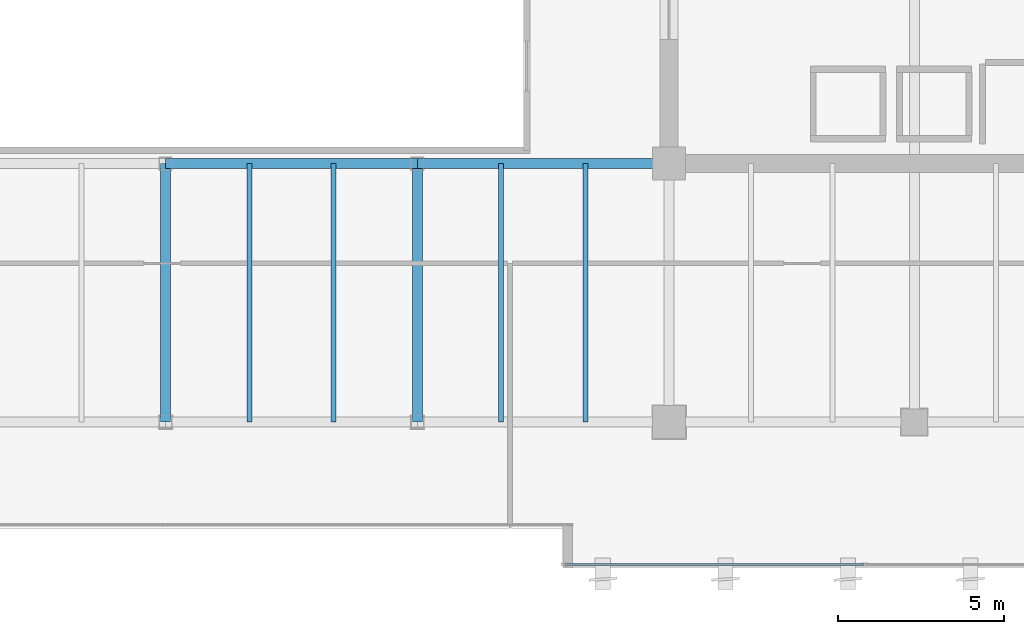
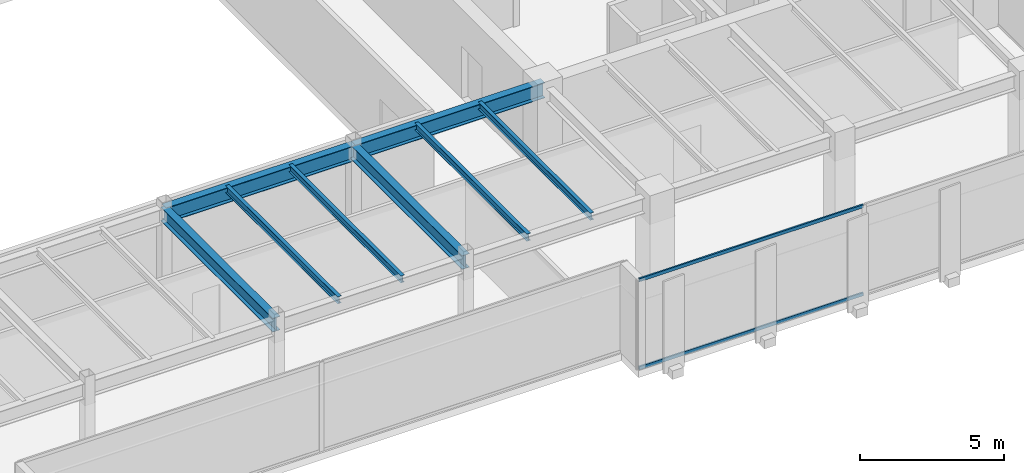
# One storey, part 12 of 35: 8 beams, 2 members, 1 element without a shape of its own.
"""IFC4 building model written with IfcOpenShell, lengths in metres."""

import ifcopenshell
import ifcopenshell.guid

model = None  # the IFC model being written
_history = None  # IfcOwnerHistory: only IFC2X3 demands one
_inside = {}  # id of a spatial element -> (the spatial element, [elements in it])
_under = {}  # id of a project, library or spatial element -> (it, [spatial elements below it])
_declared = {}  # id of a project -> (the project, [libraries it declares])
_typed = {}  # id of a type object -> (the type object, [elements of that type])
_made_of = {}  # id of a material, layer set ... -> (it, [elements and type objects made of it])


def new_model(schema):
    """Start an empty IFC model of exactly this schema.

    Asked for "IFC4X3", IfcOpenShell would pick the latest addendum, in which some entities
    have other attributes; the version numbers below select the first issue.
    IFC2X3 requires an IfcOwnerHistory on every rooted entity: one is made here for all.
    """
    global model, _history
    if schema == "IFC4X3":
        model = ifcopenshell.file(schema_version=(4, 3, 0, 0))
    else:
        model = ifcopenshell.file(schema=schema)
    _inside.clear()
    _under.clear()
    _declared.clear()
    _typed.clear()
    _made_of.clear()
    _history = None
    if model.schema == "IFC2X3":
        org = make("IfcOrganization", Name="unknown")
        user = make(
            "IfcPersonAndOrganization",
            ThePerson=make("IfcPerson", FamilyName="unknown"),
            TheOrganization=org,
        )
        app = make(
            "IfcApplication",
            ApplicationDeveloper=org,
            Version="unknown",
            ApplicationFullName="unknown",
            ApplicationIdentifier="unknown",
        )
        _history = make(
            "IfcOwnerHistory",
            OwningUser=user,
            OwningApplication=app,
            ChangeAction="ADDED",
            CreationDate=0,
        )
    return model


def make(cls, **values):
    """One entity of the class cls with the attributes given. An attribute that is None is left unset."""
    return model.create_entity(
        cls, **{name: value for name, value in values.items() if value is not None}
    )


def rooted(cls, **values):
    """An entity with a GlobalId (a new one), such as an element, a storey or a relation."""
    return make(cls, GlobalId=ifcopenshell.guid.new(), OwnerHistory=_history, **values)


def si_unit(unit_type, name, prefix=None):
    """IfcSIUnit, for example si_unit("LENGTHUNIT", "METRE", prefix="MILLI")."""
    return make("IfcSIUnit", UnitType=unit_type, Prefix=prefix, Name=name)


def assignment(units):
    """IfcUnitAssignment: the units of a project."""
    return None if units is None else make("IfcUnitAssignment", Units=units)


def point(xyz):
    """IfcCartesianPoint."""
    return None if xyz is None else make("IfcCartesianPoint", Coordinates=xyz)


def direction(xyz):
    """IfcDirection."""
    return None if xyz is None else make("IfcDirection", DirectionRatios=xyz)


def frame(location, z_axis=None, x_axis=None):
    """IfcAxis2Placement3D, a coordinate frame: its origin and axes. An axis left out is left unset."""
    return make(
        "IfcAxis2Placement3D",
        Location=point(location),
        Axis=direction(z_axis),
        RefDirection=direction(x_axis),
    )


def frame_2d(location, x_axis=None):
    """IfcAxis2Placement2D, a coordinate frame in the plane: its origin and x axis."""
    return make(
        "IfcAxis2Placement2D", Location=point(location), RefDirection=direction(x_axis)
    )


def origin():
    """The frame at (0, 0, 0) with its axes left unset."""
    return frame((0.0, 0.0, 0.0))


def origin_2d():
    """The frame at (0, 0) in the plane with its x axis left unset."""
    return frame_2d((0.0, 0.0))


def place(relative_to, where):
    """IfcLocalPlacement: puts the frame where relative to a parent placement (None: the world)."""
    return make(
        "IfcLocalPlacement", PlacementRelTo=relative_to, RelativePlacement=where
    )


def context(
    kind, dimensions, precision=None, world=None, true_north=None, identifier=None
):
    """IfcGeometricRepresentationContext, for example the 3D "Model" context."""
    return make(
        "IfcGeometricRepresentationContext",
        ContextIdentifier=identifier,
        ContextType=kind,
        CoordinateSpaceDimension=dimensions,
        Precision=precision,
        WorldCoordinateSystem=world,
        TrueNorth=true_north,
    )


def subcontext(parent, identifier, kind, view, scale=None):
    """IfcGeometricRepresentationSubContext, for example "Body" below "Model"."""
    return make(
        "IfcGeometricRepresentationSubContext",
        ContextIdentifier=identifier,
        ContextType=kind,
        ParentContext=parent,
        TargetScale=scale,
        TargetView=view,
    )


def project(units=None, contexts=None):
    """IfcProject with its units and contexts."""
    return rooted(
        "IfcProject",
        Name="project",
        RepresentationContexts=contexts,
        UnitsInContext=assignment(units),
    )


def spatial(cls, under=None, at=None, **own):
    """A site, building, storey or space (cls), placed at a placement, below another one or the project."""
    s = rooted(cls, ObjectPlacement=at, **own)
    if under is not None:
        _under.setdefault(under.id(), (under, []))[1].append(s)
    return s


def profile(cls, at=None, kind="AREA", **sizes):
    """A parametric profile (cls). Its sizes go by their IFC names, for example OverallWidth=200.0."""
    return make(cls, ProfileType=kind, Position=at, **sizes)


def hollow_rectangle(**sizes):
    """IfcRectangleHollowProfileDef."""
    return profile("IfcRectangleHollowProfileDef", **sizes)


def i_section(**sizes):
    """IfcIShapeProfileDef."""
    return profile("IfcIShapeProfileDef", **sizes)


def extrude(swept, where, along, depth):
    """IfcExtrudedAreaSolid: the profile swept, set in the frame where, extruded along a direction by depth."""
    return make(
        "IfcExtrudedAreaSolid",
        SweptArea=swept,
        Position=where,
        ExtrudedDirection=direction(along),
        Depth=depth,
    )


def shape(context_of_items, identifier, shape_type, items):
    """IfcShapeRepresentation: the items that make up one representation, for example the "Body"."""
    return make(
        "IfcShapeRepresentation",
        ContextOfItems=context_of_items,
        RepresentationIdentifier=identifier,
        RepresentationType=shape_type,
        Items=items,
    )


def source(mapping_origin, context_of_items, identifier, shape_type, items):
    """IfcRepresentationMap: a shape defined once, which mapped items show again and again."""
    return make(
        "IfcRepresentationMap",
        MappingOrigin=mapping_origin,
        MappedRepresentation=shape(context_of_items, identifier, shape_type, items),
    )


def transform(
    local_origin,
    x_axis=None,
    y_axis=None,
    z_axis=None,
    scale=None,
    scale2=None,
    scale3=None,
    uniform=True,
):
    """IfcCartesianTransformationOperator3D, or its non-uniform kind. x_axis, y_axis, z_axis: its Axis1, 2, 3."""
    if uniform:
        return make(
            "IfcCartesianTransformationOperator3D",
            Axis1=direction(x_axis),
            Axis2=direction(y_axis),
            LocalOrigin=point(local_origin),
            Scale=scale,
            Axis3=direction(z_axis),
        )
    return make(
        "IfcCartesianTransformationOperator3DnonUniform",
        Axis1=direction(x_axis),
        Axis2=direction(y_axis),
        LocalOrigin=point(local_origin),
        Scale=scale,
        Axis3=direction(z_axis),
        Scale2=scale2,
        Scale3=scale3,
    )


def mapped(mapping_source, mapping_target):
    """IfcMappedItem: shows the shape of a source again, moved by a transform."""
    return make(
        "IfcMappedItem", MappingSource=mapping_source, MappingTarget=mapping_target
    )


def material(Name=None, Category=None):
    """IfcMaterial."""
    return make("IfcMaterial", Name=Name, Category=Category)


def layer(
    of_material, thickness, ventilated=None, Name=None, Category=None, Priority=None
):
    """IfcMaterialLayer: one layer of a wall or slab, of a material (None: an air gap)."""
    return make(
        "IfcMaterialLayer",
        Material=of_material,
        LayerThickness=thickness,
        IsVentilated=ventilated,
        Name=Name,
        Category=Category,
        Priority=Priority,
    )


def layer_set(layers, Name=None):
    """IfcMaterialLayerSet."""
    return make("IfcMaterialLayerSet", MaterialLayers=layers, LayerSetName=Name)


def material_profile(
    of_material, cross_section, Name=None, Category=None, Priority=None
):
    """IfcMaterialProfile: a cross section and its material."""
    return make(
        "IfcMaterialProfile",
        Name=Name,
        Material=of_material,
        Profile=cross_section,
        Priority=Priority,
        Category=Category,
    )


def profile_set(profiles, Name=None, composite=None):
    """IfcMaterialProfileSet."""
    return make(
        "IfcMaterialProfileSet",
        Name=Name,
        MaterialProfiles=profiles,
        CompositeProfile=composite,
    )


def made_of(thing, what):
    """Note that an element or type object is made of a material, layer set ...; save() writes the relation."""
    if what is not None:
        _made_of.setdefault(what.id(), (what, []))[1].append(thing)
    return thing


def type_object(cls, material=None, **own):
    """A type object (cls), such as IfcWallType, which elements share."""
    return made_of(rooted(cls, **own), material)


def type_shapes(of_type, sources):
    """Give a type object the sources (RepresentationMaps) that its elements show as mapped items."""
    of_type.RepresentationMaps = sources


def element(
    cls,
    number,
    at=None,
    inside=None,
    cuts=None,
    type_object=None,
    material=None,
    context=None,
    identifier="Body",
    shape_type=None,
    held_by="IfcProductDefinitionShape",
    body=None,
    shapes=None,
    **own,
):
    """One element of the class cls, such as IfcWall. Its Tag is "e" and its number.

    at: its placement. inside: the storey or other place that contains it. cuts: it is an
    opening in that element (IfcRelVoidsElement). A single representation is given by context,
    identifier, shape_type and body (its items); several are given by shapes. held_by: the class
    of the entity that holds the representations. save() writes the other relations.
    """
    e = rooted(cls, Tag="e%d" % number, ObjectPlacement=at, **own)
    if body is not None:
        shapes = [shape(context, identifier, shape_type, body)]
    if shapes is not None:
        e.Representation = make(held_by, Representations=shapes)
    if inside is not None:
        _inside.setdefault(inside.id(), (inside, []))[1].append(e)
    if cuts is not None:
        rooted(
            "IfcRelVoidsElement", RelatingBuildingElement=cuts, RelatedOpeningElement=e
        )
    if type_object is not None:
        _typed.setdefault(type_object.id(), (type_object, []))[1].append(e)
    return made_of(e, material)


def aggregate(whole, parts):
    """IfcRelAggregates: a whole, such as a stair, and the parts it consists of."""
    return rooted("IfcRelAggregates", RelatingObject=whole, RelatedObjects=parts)


def save(model, path):
    """Write the relations noted so far, then the file.

    IfcRelAggregates (storeys below a building ...), IfcRelContainedInSpatialStructure (elements
    in a storey), IfcRelDefinesByType, IfcRelAssociatesMaterial and IfcRelDeclares: one each for
    every whole, place, type object, material and project.
    """
    for whole, parts in _under.values():
        aggregate(whole, parts)
    for where, things in _inside.values():
        rooted(
            "IfcRelContainedInSpatialStructure",
            RelatedElements=things,
            RelatingStructure=where,
        )
    for kind, things in _typed.values():
        rooted("IfcRelDefinesByType", RelatedObjects=things, RelatingType=kind)
    for what, things in _made_of.values():
        rooted("IfcRelAssociatesMaterial", RelatedObjects=things, RelatingMaterial=what)
    for by, libraries in _declared.values():
        rooted("IfcRelDeclares", RelatingContext=by, RelatedDefinitions=libraries)
    model.write(path)


model = new_model("IFC4")

# Units and contexts
model_context = context("Model", 3, precision=1e-05, world=origin(), true_north=direction((0.0, 1.0)))
body_context = subcontext(model_context, "Body", "Model", "MODEL_VIEW")
ifc_project = project(units=[si_unit("LENGTHUNIT", "METRE"), si_unit("AREAUNIT", "SQUARE_METRE"), si_unit("VOLUMEUNIT", "CUBIC_METRE"), si_unit("PLANEANGLEUNIT", "RADIAN"), si_unit("MASSUNIT", "GRAM", prefix="KILO")], contexts=[model_context])

# Site, building, storey
site_placement = place(None, origin())
site = spatial("IfcSite", under=ifc_project, at=site_placement, CompositionType="ELEMENT")
building_placement = place(site_placement, origin())
building = spatial("IfcBuilding", under=site, at=building_placement, Name="Haelvirn Gate Laboratories", CompositionType="ELEMENT")
storey_placement = place(building_placement, frame((0.0, 0.0, 201.39990234375)))
storey = spatial("IfcBuildingStorey", under=building, at=storey_placement, Name="L48", CompositionType="ELEMENT", Elevation=201.39990234375)

# Beams
ifc_material_1 = material(Name="Steel SM355", Category="steel")
ifc_material_profile_1 = material_profile(ifc_material_1, i_section(OverallWidth=0.14990234375, OverallDepth=0.300048828125, WebThickness=0.006591796875, FlangeThickness=0.009033203125, at=origin_2d()), Name="H-300x150x6.5x9")
ifc_profile_set_1 = profile_set([ifc_material_profile_1], Name="Steel SM355")
beam_type_1 = type_object("IfcBeamType", Name="BM-J-300", PredefinedType="JOIST", material=ifc_profile_set_1)
shared_shape_1 = source(origin(), body_context, "Body", "SweptSolid", [
    extrude(i_section(OverallWidth=0.14990234375, OverallDepth=0.300048828125, WebThickness=0.006591796875, FlangeThickness=0.009033203125, at=origin_2d()), origin(), (0.0, 0.0, 1.0), 7.800048828125),
])
type_shapes(beam_type_1, [shared_shape_1])
for number, where, z_axis, x_axis, name in (
    (1, (39.929931640625, 7.0, 3.650146484375), (0.0, 1.0, 0.0), (-1.0, 0.0, 0.0), "L48 Composite Lab Joist South X39.93"),
    (2, (42.469970703125, 7.0, 3.650146484375), (0.0, 1.0, 0.0), (-1.0, 0.0, 0.0), "L48 Composite Lab Joist South X42.47"),
    (3, (47.530029296875, 7.0, 3.650146484375), (0.0, 1.0, 0.0), (-1.0, 0.0, 0.0), "L48 Composite Lab Joist South X47.53"),
    (4, (50.070068359375, 7.0, 3.650146484375), (0.0, 1.0, 0.0), (-1.0, 0.0, 0.0), "L48 Composite Lab Joist South X50.07"),
):
    element("IfcBeam", number, at=place(storey_placement, frame(where, z_axis=z_axis, x_axis=x_axis)), inside=storey, type_object=beam_type_1, Name=name, PredefinedType="JOIST", context=body_context, shape_type="MappedRepresentation", body=[
        mapped(shared_shape_1, transform((0.0, 0.0, 0.0), scale=1.0)),
    ])
ifc_material_profile_2 = material_profile(ifc_material_1, i_section(OverallWidth=0.300048828125, OverallDepth=0.587890625, WebThickness=0.011962890625, FlangeThickness=0.02001953125, at=origin_2d()), Name="H-588x300x12x20")
ifc_profile_set_2 = profile_set([ifc_material_profile_2], Name="Steel SM355")
beam_type_2 = type_object("IfcBeamType", Name="BM-G-588", PredefinedType="BEAM", material=ifc_profile_set_2)
shared_shape_2 = source(origin(), body_context, "Body", "SweptSolid", [
    extrude(i_section(OverallWidth=0.300048828125, OverallDepth=0.587890625, WebThickness=0.011962890625, FlangeThickness=0.02001953125, at=origin_2d()), origin(), (0.0, 0.0, 1.0), 7.800048828125),
])
type_shapes(beam_type_2, [shared_shape_2])
for number, where, z_axis, x_axis, name in (
    (5, (37.39990234375, 7.0, 3.506103515625), (0.0, 1.0, 0.0), (-1.0, 0.0, 0.0), "L48 Frame Girder X37.4 (7.0-14.8)"),
    (6, (45.0, 7.0, 3.506103515625), (0.0, 1.0, 0.0), (-1.0, 0.0, 0.0), "L48 Frame Girder X45.0 (7.0-14.8)"),
):
    element("IfcBeam", number, at=place(storey_placement, frame(where, z_axis=z_axis, x_axis=x_axis)), inside=storey, type_object=beam_type_2, Name=name, PredefinedType="BEAM", context=body_context, shape_type="MappedRepresentation", body=[
        mapped(shared_shape_2, transform((0.0, 0.0, 0.0), scale=1.0)),
    ])
ifc_material_profile_3 = material_profile(ifc_material_1, i_section(OverallWidth=0.300048828125, OverallDepth=0.64990234375, WebThickness=0.012939453125, FlangeThickness=0.02197265625, at=origin_2d()), Name="H-650x300x13x22")
ifc_profile_set_3 = profile_set([ifc_material_profile_3], Name="Steel SM355")
beam_type_3 = type_object("IfcBeamType", Name="BM-G-650", PredefinedType="BEAM", material=ifc_profile_set_3)
shared_shape_3 = source(origin(), body_context, "Body", "SweptSolid", [
    extrude(i_section(OverallWidth=0.300048828125, OverallDepth=0.64990234375, WebThickness=0.012939453125, FlangeThickness=0.02197265625, at=origin_2d()), origin(), (0.0, 0.0, 1.0), 7.60009765625),
])
type_shapes(beam_type_3, [shared_shape_3])
for number, where, z_axis, x_axis, name in (
    (7, (37.39990234375, 14.800048828125, 3.47509765625), (1.0, 0.0, 0.0), (0.0, 1.0, 0.0), "L48 Primary Girder Y14.8 (37.4-45.0)"),
    (8, (45.0, 14.800048828125, 3.47509765625), (1.0, 0.0, 0.0), (0.0, 1.0, 0.0), "L48 Primary Girder Y14.8 (45.0-52.6)"),
):
    element("IfcBeam", number, at=place(storey_placement, frame(where, z_axis=z_axis, x_axis=x_axis)), inside=storey, type_object=beam_type_3, Name=name, PredefinedType="BEAM", context=body_context, shape_type="MappedRepresentation", body=[
        mapped(shared_shape_3, transform((0.0, 0.0, 0.0), scale=1.0)),
    ])

# Curtain wall, members
ifc_material_2 = material(Name="Anodised bronze unitised aluminium & triple low-E glass", Category="aluminium")
ifc_layer = layer(ifc_material_2, 0.176025390625, Name="CW-SYS-4")
ifc_layer_set = layer_set([ifc_layer], Name="Anodised bronze unitised aluminium & triple low-E glass")
curtain_wall_type = type_object("IfcCurtainWallType", Name="CW-SYS-4", PredefinedType="NOTDEFINED", material=ifc_layer_set)
curtain_wall_placement = place(storey_placement, origin())
curtain_wall = element("IfcCurtainWall", 9, at=curtain_wall_placement, inside=storey, type_object=curtain_wall_type, Name="L48 Unitised Curtain Wall CW-L48-P0-E04-1", PredefinedType="NOTDEFINED")
ifc_material_3 = material(Name="Extruded aluminium 6063-T6 (anodised bronze)", Category="aluminium")
ifc_material_profile_4 = material_profile(ifc_material_3, hollow_rectangle(XDim=0.06494140625, YDim=0.139892578125, WallThickness=0.00390625, at=origin_2d()), Name="CWT-140x65x4")
ifc_profile_set_4 = profile_set([ifc_material_profile_4], Name="Extruded aluminium 6063-T6 (anodised bronze)")
member_type = type_object("IfcMemberType", Name="CWT-T140", PredefinedType="USERDEFINED", material=ifc_profile_set_4)
shared_shape_4 = source(origin(), body_context, "Body", "SweptSolid", [
    extrude(hollow_rectangle(XDim=0.06494140625, YDim=0.139892578125, WallThickness=0.00390625, at=origin_2d()), origin(), (0.0, 0.0, 1.0), 8.9951171875),
])
type_shapes(member_type, [shared_shape_4])
member_1_placement = place(storey_placement, frame((49.469970703125, 2.699951171875, 0.03271484375), z_axis=(1.0, 0.0, 0.0), x_axis=(0.0, 1.0, 0.0)))
member_1 = element("IfcMember", 10, at=member_1_placement, type_object=member_type, Name="CW4 transom 1.1", ObjectType="TRANSOM", PredefinedType="USERDEFINED", context=body_context, shape_type="MappedRepresentation", body=[
    mapped(shared_shape_4, transform((0.0, 0.0, 0.0), scale=1.0)),
])
member_2_placement = place(storey_placement, frame((49.469970703125, 2.699951171875, 3.767578125), z_axis=(1.0, 0.0, 0.0), x_axis=(0.0, 1.0, 0.0)))
member_2 = element("IfcMember", 11, at=member_2_placement, type_object=member_type, Name="CW4 transom 1.2", ObjectType="TRANSOM", PredefinedType="USERDEFINED", context=body_context, shape_type="MappedRepresentation", body=[
    mapped(shared_shape_4, transform((0.0, 0.0, 0.0), scale=1.0)),
])
aggregate(curtain_wall, [member_1, member_2])

save(model, "model.ifc")
